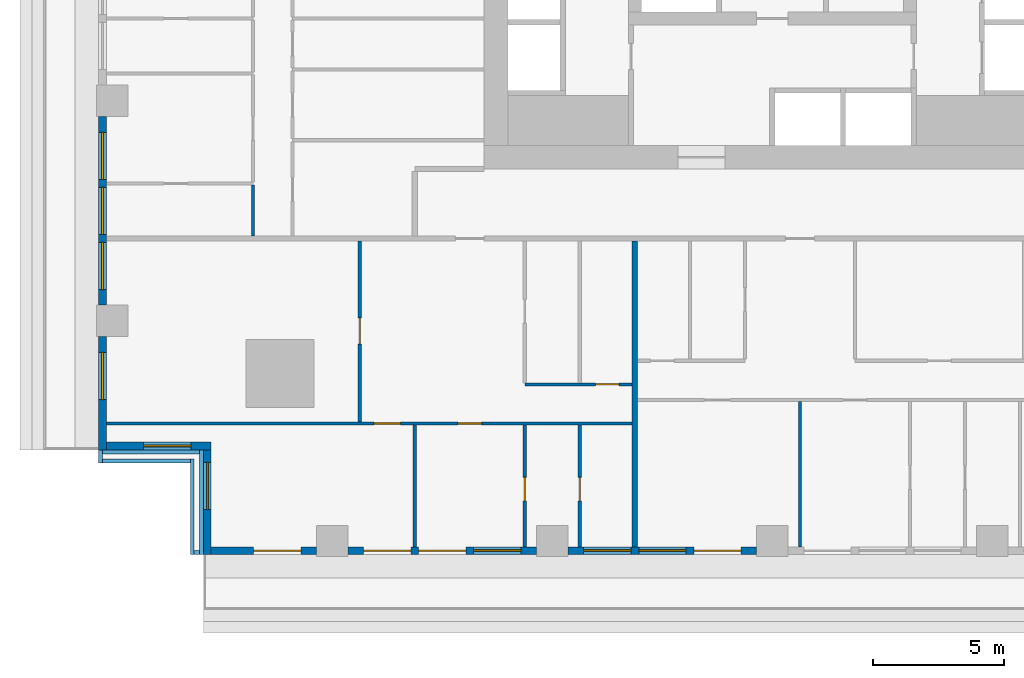
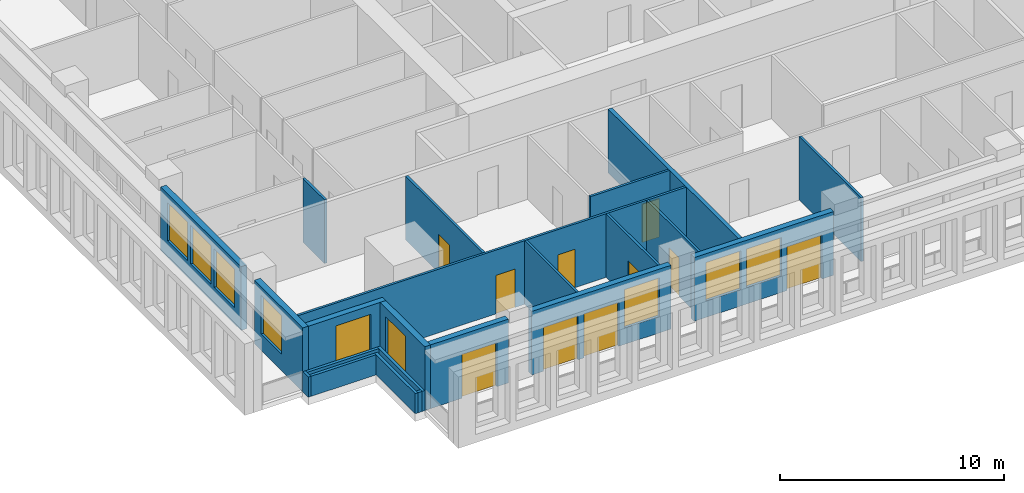
# One storey, part 2 of 16: 22 walls, 10 doors, 9 windows, 19 openings.
"""IFC4 building model written with IfcOpenShell, lengths in metres."""

import ifcopenshell
import ifcopenshell.guid

model = None  # the IFC model being written
_history = None  # IfcOwnerHistory: only IFC2X3 demands one
_inside = {}  # id of a spatial element -> (the spatial element, [elements in it])
_under = {}  # id of a project, library or spatial element -> (it, [spatial elements below it])
_declared = {}  # id of a project -> (the project, [libraries it declares])
_typed = {}  # id of a type object -> (the type object, [elements of that type])
_made_of = {}  # id of a material, layer set ... -> (it, [elements and type objects made of it])


def new_model(schema):
    """Start an empty IFC model of exactly this schema.

    Asked for "IFC4X3", IfcOpenShell would pick the latest addendum, in which some entities
    have other attributes; the version numbers below select the first issue.
    IFC2X3 requires an IfcOwnerHistory on every rooted entity: one is made here for all.
    """
    global model, _history
    if schema == "IFC4X3":
        model = ifcopenshell.file(schema_version=(4, 3, 0, 0))
    else:
        model = ifcopenshell.file(schema=schema)
    _inside.clear()
    _under.clear()
    _declared.clear()
    _typed.clear()
    _made_of.clear()
    _history = None
    if model.schema == "IFC2X3":
        org = make("IfcOrganization", Name="unknown")
        user = make(
            "IfcPersonAndOrganization",
            ThePerson=make("IfcPerson", FamilyName="unknown"),
            TheOrganization=org,
        )
        app = make(
            "IfcApplication",
            ApplicationDeveloper=org,
            Version="unknown",
            ApplicationFullName="unknown",
            ApplicationIdentifier="unknown",
        )
        _history = make(
            "IfcOwnerHistory",
            OwningUser=user,
            OwningApplication=app,
            ChangeAction="ADDED",
            CreationDate=0,
        )
    return model


def make(cls, **values):
    """One entity of the class cls with the attributes given. An attribute that is None is left unset."""
    return model.create_entity(
        cls, **{name: value for name, value in values.items() if value is not None}
    )


def rooted(cls, **values):
    """An entity with a GlobalId (a new one), such as an element, a storey or a relation."""
    return make(cls, GlobalId=ifcopenshell.guid.new(), OwnerHistory=_history, **values)


def si_unit(unit_type, name, prefix=None):
    """IfcSIUnit, for example si_unit("LENGTHUNIT", "METRE", prefix="MILLI")."""
    return make("IfcSIUnit", UnitType=unit_type, Prefix=prefix, Name=name)


def assignment(units):
    """IfcUnitAssignment: the units of a project."""
    return None if units is None else make("IfcUnitAssignment", Units=units)


def point(xyz):
    """IfcCartesianPoint."""
    return None if xyz is None else make("IfcCartesianPoint", Coordinates=xyz)


def direction(xyz):
    """IfcDirection."""
    return None if xyz is None else make("IfcDirection", DirectionRatios=xyz)


def frame(location, z_axis=None, x_axis=None):
    """IfcAxis2Placement3D, a coordinate frame: its origin and axes. An axis left out is left unset."""
    return make(
        "IfcAxis2Placement3D",
        Location=point(location),
        Axis=direction(z_axis),
        RefDirection=direction(x_axis),
    )


def frame_2d(location, x_axis=None):
    """IfcAxis2Placement2D, a coordinate frame in the plane: its origin and x axis."""
    return make(
        "IfcAxis2Placement2D", Location=point(location), RefDirection=direction(x_axis)
    )


def origin():
    """The frame at (0, 0, 0) with its axes left unset."""
    return frame((0.0, 0.0, 0.0))


def place(relative_to, where):
    """IfcLocalPlacement: puts the frame where relative to a parent placement (None: the world)."""
    return make(
        "IfcLocalPlacement", PlacementRelTo=relative_to, RelativePlacement=where
    )


def context(
    kind, dimensions, precision=None, world=None, true_north=None, identifier=None
):
    """IfcGeometricRepresentationContext, for example the 3D "Model" context."""
    return make(
        "IfcGeometricRepresentationContext",
        ContextIdentifier=identifier,
        ContextType=kind,
        CoordinateSpaceDimension=dimensions,
        Precision=precision,
        WorldCoordinateSystem=world,
        TrueNorth=true_north,
    )


def subcontext(parent, identifier, kind, view, scale=None):
    """IfcGeometricRepresentationSubContext, for example "Body" below "Model"."""
    return make(
        "IfcGeometricRepresentationSubContext",
        ContextIdentifier=identifier,
        ContextType=kind,
        ParentContext=parent,
        TargetScale=scale,
        TargetView=view,
    )


def project(units=None, contexts=None):
    """IfcProject with its units and contexts."""
    return rooted(
        "IfcProject",
        Name="project",
        RepresentationContexts=contexts,
        UnitsInContext=assignment(units),
    )


def spatial(cls, under=None, at=None, **own):
    """A site, building, storey or space (cls), placed at a placement, below another one or the project."""
    s = rooted(cls, ObjectPlacement=at, **own)
    if under is not None:
        _under.setdefault(under.id(), (under, []))[1].append(s)
    return s


def profile(cls, at=None, kind="AREA", **sizes):
    """A parametric profile (cls). Its sizes go by their IFC names, for example OverallWidth=200.0."""
    return make(cls, ProfileType=kind, Position=at, **sizes)


def rectangle(**sizes):
    """IfcRectangleProfileDef."""
    return profile("IfcRectangleProfileDef", **sizes)


def extrude(swept, where, along, depth):
    """IfcExtrudedAreaSolid: the profile swept, set in the frame where, extruded along a direction by depth."""
    return make(
        "IfcExtrudedAreaSolid",
        SweptArea=swept,
        Position=where,
        ExtrudedDirection=direction(along),
        Depth=depth,
    )


def shape(context_of_items, identifier, shape_type, items):
    """IfcShapeRepresentation: the items that make up one representation, for example the "Body"."""
    return make(
        "IfcShapeRepresentation",
        ContextOfItems=context_of_items,
        RepresentationIdentifier=identifier,
        RepresentationType=shape_type,
        Items=items,
    )


def material(Name=None, Category=None):
    """IfcMaterial."""
    return make("IfcMaterial", Name=Name, Category=Category)


def layer(
    of_material, thickness, ventilated=None, Name=None, Category=None, Priority=None
):
    """IfcMaterialLayer: one layer of a wall or slab, of a material (None: an air gap)."""
    return make(
        "IfcMaterialLayer",
        Material=of_material,
        LayerThickness=thickness,
        IsVentilated=ventilated,
        Name=Name,
        Category=Category,
        Priority=Priority,
    )


def layer_set(layers, Name=None):
    """IfcMaterialLayerSet."""
    return make("IfcMaterialLayerSet", MaterialLayers=layers, LayerSetName=Name)


def made_of(thing, what):
    """Note that an element or type object is made of a material, layer set ...; save() writes the relation."""
    if what is not None:
        _made_of.setdefault(what.id(), (what, []))[1].append(thing)
    return thing


def type_object(cls, material=None, **own):
    """A type object (cls), such as IfcWallType, which elements share."""
    return made_of(rooted(cls, **own), material)


def element(
    cls,
    number,
    at=None,
    inside=None,
    cuts=None,
    type_object=None,
    material=None,
    context=None,
    identifier="Body",
    shape_type=None,
    held_by="IfcProductDefinitionShape",
    body=None,
    shapes=None,
    **own,
):
    """One element of the class cls, such as IfcWall. Its Tag is "e" and its number.

    at: its placement. inside: the storey or other place that contains it. cuts: it is an
    opening in that element (IfcRelVoidsElement). A single representation is given by context,
    identifier, shape_type and body (its items); several are given by shapes. held_by: the class
    of the entity that holds the representations. save() writes the other relations.
    """
    e = rooted(cls, Tag="e%d" % number, ObjectPlacement=at, **own)
    if body is not None:
        shapes = [shape(context, identifier, shape_type, body)]
    if shapes is not None:
        e.Representation = make(held_by, Representations=shapes)
    if inside is not None:
        _inside.setdefault(inside.id(), (inside, []))[1].append(e)
    if cuts is not None:
        rooted(
            "IfcRelVoidsElement", RelatingBuildingElement=cuts, RelatedOpeningElement=e
        )
    if type_object is not None:
        _typed.setdefault(type_object.id(), (type_object, []))[1].append(e)
    return made_of(e, material)


def fill(opening, filler):
    """IfcRelFillsElement: the door or window that sits in an opening."""
    return rooted(
        "IfcRelFillsElement",
        RelatingOpeningElement=opening,
        RelatedBuildingElement=filler,
    )


def aggregate(whole, parts):
    """IfcRelAggregates: a whole, such as a stair, and the parts it consists of."""
    return rooted("IfcRelAggregates", RelatingObject=whole, RelatedObjects=parts)


def save(model, path):
    """Write the relations noted so far, then the file.

    IfcRelAggregates (storeys below a building ...), IfcRelContainedInSpatialStructure (elements
    in a storey), IfcRelDefinesByType, IfcRelAssociatesMaterial and IfcRelDeclares: one each for
    every whole, place, type object, material and project.
    """
    for whole, parts in _under.values():
        aggregate(whole, parts)
    for where, things in _inside.values():
        rooted(
            "IfcRelContainedInSpatialStructure",
            RelatedElements=things,
            RelatingStructure=where,
        )
    for kind, things in _typed.values():
        rooted("IfcRelDefinesByType", RelatedObjects=things, RelatingType=kind)
    for what, things in _made_of.values():
        rooted("IfcRelAssociatesMaterial", RelatedObjects=things, RelatingMaterial=what)
    for by, libraries in _declared.values():
        rooted("IfcRelDeclares", RelatingContext=by, RelatedDefinitions=libraries)
    model.write(path)


model = new_model("IFC4")

# Units and contexts
model_context = context("Model", 3, precision=1e-05, world=origin(), true_north=direction((0.0, 1.0)))
body_context = subcontext(model_context, "Body", "Model", "MODEL_VIEW")
ifc_project = project(units=[si_unit("LENGTHUNIT", "METRE"), si_unit("AREAUNIT", "SQUARE_METRE"), si_unit("VOLUMEUNIT", "CUBIC_METRE"), si_unit("PLANEANGLEUNIT", "RADIAN"), si_unit("MASSUNIT", "GRAM", prefix="KILO")], contexts=[model_context])

# Site, building, storey
site_placement = place(None, origin())
site = spatial("IfcSite", under=ifc_project, at=site_placement, CompositionType="ELEMENT")
building_placement = place(site_placement, origin())
building = spatial("IfcBuilding", under=site, at=building_placement, Name="Khepri Terraces", CompositionType="ELEMENT")
storey_placement = place(building_placement, frame((0.0, 0.0, 133.800048828125)))
storey = spatial("IfcBuildingStorey", under=building, at=storey_placement, Name="L31", CompositionType="ELEMENT", Elevation=133.800048828125)

# Wall
ifc_material_1 = material(Name="Fire-rated gypsum plasterboard partition, mineral wool")
ifc_layer_1 = layer(ifc_material_1, 0.199951171875, Name="Fire-rated gypsum plasterboard partition, mineral wool")
ifc_layer_set_1 = layer_set([ifc_layer_1], Name="Fire-rated gypsum plasterboard partition, mineral wool")
wall_type_1 = type_object("IfcWallType", Name="WL-CORR-200", PredefinedType="PARTITIONING", material=ifc_layer_set_1)
wall_1_placement = place(storey_placement, frame((-5.25, -25.419921875, 0.0), z_axis=(0.0, 0.0, 1.0), x_axis=(0.0, 1.0, 0.0)))
element("IfcWall", 1, at=wall_1_placement, inside=storey, type_object=wall_type_1, Name="Partition P-004 L31", PredefinedType="PARTITIONING", context=body_context, shape_type="SweptSolid", body=[
    extrude(rectangle(XDim=11.669921875, YDim=0.199951171875, at=frame_2d((5.8349609375, 0.0))), origin(), (0.0, 0.0, 1.0), 3.47998046875),
])

# Wall, openings, windows
ifc_material_2 = material(Name="Precast concrete C50/60 warm stone", Category="masonry")
ifc_layer_2 = layer(ifc_material_2, 0.300048828125, Name="Precast concrete C50/60 warm stone", Category="masonry")
ifc_layer_set_2 = layer_set([ifc_layer_2], Name="Precast concrete C50/60 warm stone")
wall_type_2 = type_object("IfcWallType", Name="WL-EXT-PRECAST-300", PredefinedType="STANDARD", material=ifc_layer_set_2)
wall_2_placement = place(storey_placement, frame((-25.570068359375, -9.0, 0.0), z_axis=(0.0, 0.0, 1.0), x_axis=(0.0, -1.0, 0.0)))
wall_2 = element("IfcWall", 2, at=wall_2_placement, inside=storey, type_object=wall_type_2, Name="External wall L31 W", PredefinedType="STANDARD", context=body_context, shape_type="SweptSolid", body=[
    extrude(rectangle(XDim=7.199951171875, YDim=0.300048828125, at=frame_2d((3.60009765625, 0.0))), origin(), (0.0, 0.0, 1.0), 3.47998046875),
])
opening_1_placement = place(wall_2_placement, frame((0.60009765625, 0.0, 0.89990234375)))
opening_1 = element("IfcOpeningElement", 3, at=opening_1_placement, cuts=wall_2, Name="Opening W1", PredefinedType="OPENING", context=body_context, shape_type="SweptSolid", body=[
    extrude(rectangle(XDim=1.800048828125, YDim=2.10009765625, at=frame_2d((0.89990234375, 1.050048828125))), frame((0.0, 0.16015625, 0.0), z_axis=(0.0, -1.0, 0.0), x_axis=(1.0, 0.0, 0.0)), (0.0, 0.0, 1.0), 0.320068359375),
])
opening_2_placement = place(wall_2_placement, frame((2.699951171875, 0.0, 0.89990234375)))
opening_2 = element("IfcOpeningElement", 4, at=opening_2_placement, cuts=wall_2, Name="Opening W1", PredefinedType="OPENING", context=body_context, shape_type="SweptSolid", body=[
    extrude(rectangle(XDim=1.800048828125, YDim=2.10009765625, at=frame_2d((0.89990234375, 1.050048828125))), frame((0.0, 0.16015625, 0.0), z_axis=(0.0, -1.0, 0.0), x_axis=(1.0, 0.0, 0.0)), (0.0, 0.0, 1.0), 0.320068359375),
])
opening_3_placement = place(wall_2_placement, frame((4.800048828125, 0.0, 0.89990234375)))
opening_3 = element("IfcOpeningElement", 5, at=opening_3_placement, cuts=wall_2, Name="Opening W1", PredefinedType="OPENING", context=body_context, shape_type="SweptSolid", body=[
    extrude(rectangle(XDim=1.800048828125, YDim=2.10009765625, at=frame_2d((0.89990234375, 1.050048828125))), frame((0.0, 0.16015625, 0.0), z_axis=(0.0, -1.0, 0.0), x_axis=(1.0, 0.0, 0.0)), (0.0, 0.0, 1.0), 0.320068359375),
])
ifc_material_3 = material(Name="Clear glass", Category="glass")
window_type = type_object("IfcWindowType", Name="WIN-RES-1800x2100", PartitioningType="SINGLE_PANEL", PredefinedType="WINDOW", material=ifc_material_3)
window_1_placement = place(opening_1_placement, origin())
window_1 = element("IfcWindow", 6, at=window_1_placement, inside=storey, type_object=window_type, Name="Window L31 W", OverallHeight=2.10009765625, OverallWidth=1.800048828125, PartitioningType="SINGLE_PANEL", PredefinedType="WINDOW", context=body_context, shape_type="SweptSolid", body=[
    extrude(rectangle(XDim=1.800048828125, YDim=2.10009765625, at=frame_2d((0.89990234375, 1.050048828125))), frame((0.0, 0.030029296875, 0.0), z_axis=(0.0, -1.0, 0.0), x_axis=(1.0, 0.0, 0.0)), (0.0, 0.0, 1.0), 0.06005859375),
])
fill(opening_1, window_1)
window_2_placement = place(opening_2_placement, origin())
window_2 = element("IfcWindow", 7, at=window_2_placement, inside=storey, type_object=window_type, Name="Window L31 W", OverallHeight=2.10009765625, OverallWidth=1.800048828125, PartitioningType="SINGLE_PANEL", PredefinedType="WINDOW", context=body_context, shape_type="SweptSolid", body=[
    extrude(rectangle(XDim=1.800048828125, YDim=2.10009765625, at=frame_2d((0.89990234375, 1.050048828125))), frame((0.0, 0.030029296875, 0.0), z_axis=(0.0, -1.0, 0.0), x_axis=(1.0, 0.0, 0.0)), (0.0, 0.0, 1.0), 0.06005859375),
])
fill(opening_2, window_2)
window_3_placement = place(opening_3_placement, origin())
window_3 = element("IfcWindow", 8, at=window_3_placement, inside=storey, type_object=window_type, Name="Window L31 W", OverallHeight=2.10009765625, OverallWidth=1.800048828125, PartitioningType="SINGLE_PANEL", PredefinedType="WINDOW", context=body_context, shape_type="SweptSolid", body=[
    extrude(rectangle(XDim=1.800048828125, YDim=2.10009765625, at=frame_2d((0.89990234375, 1.050048828125))), frame((0.0, 0.030029296875, 0.0), z_axis=(0.0, -1.0, 0.0), x_axis=(1.0, 0.0, 0.0)), (0.0, 0.0, 1.0), 0.06005859375),
])
fill(opening_3, window_3)

# Wall, opening, window
wall_3_placement = place(storey_placement, frame((-25.570068359375, -17.39990234375, 0.0), z_axis=(0.0, 0.0, 1.0), x_axis=(0.0, -1.0, 0.0)))
wall_3 = element("IfcWall", 9, at=wall_3_placement, inside=storey, type_object=wall_type_2, Name="External wall L31 W", PredefinedType="STANDARD", context=body_context, shape_type="SweptSolid", body=[
    extrude(rectangle(XDim=4.320068359375, YDim=0.300048828125, at=frame_2d((2.16015625, 0.0))), origin(), (0.0, 0.0, 1.0), 3.47998046875),
])
opening_4_placement = place(wall_3_placement, frame((0.60009765625, 0.0, 0.89990234375)))
opening_4 = element("IfcOpeningElement", 10, at=opening_4_placement, cuts=wall_3, Name="Opening W1", PredefinedType="OPENING", context=body_context, shape_type="SweptSolid", body=[
    extrude(rectangle(XDim=1.800048828125, YDim=2.10009765625, at=frame_2d((0.89990234375, 1.050048828125))), frame((0.0, 0.16015625, 0.0), z_axis=(0.0, -1.0, 0.0), x_axis=(1.0, 0.0, 0.0)), (0.0, 0.0, 1.0), 0.320068359375),
])
window_4_placement = place(opening_4_placement, origin())
window_4 = element("IfcWindow", 11, at=window_4_placement, inside=storey, type_object=window_type, Name="Window L31 W", OverallHeight=2.10009765625, OverallWidth=1.800048828125, PartitioningType="SINGLE_PANEL", PredefinedType="WINDOW", context=body_context, shape_type="SweptSolid", body=[
    extrude(rectangle(XDim=1.800048828125, YDim=2.10009765625, at=frame_2d((0.89990234375, 1.050048828125))), frame((0.0, 0.030029296875, 0.0), z_axis=(0.0, -1.0, 0.0), x_axis=(1.0, 0.0, 0.0)), (0.0, 0.0, 1.0), 0.06005859375),
])
fill(opening_4, window_4)

wall_4_placement = place(storey_placement, frame((-25.419921875, -21.570068359375, 0.0), z_axis=(0.0, 0.0, 1.0), x_axis=(1.0, 0.0, 0.0)))
wall_4 = element("IfcWall", 12, at=wall_4_placement, inside=storey, type_object=wall_type_2, Name="External wall L31 S", PredefinedType="STANDARD", context=body_context, shape_type="SweptSolid", body=[
    extrude(rectangle(XDim=4.0, YDim=0.300048828125, at=frame_2d((2.0, 0.0))), origin(), (0.0, 0.0, 1.0), 3.47998046875),
])
opening_5_placement = place(wall_4_placement, frame((1.419921875, 0.0, 0.89990234375)))
opening_5 = element("IfcOpeningElement", 13, at=opening_5_placement, cuts=wall_4, Name="Opening W1", PredefinedType="OPENING", context=body_context, shape_type="SweptSolid", body=[
    extrude(rectangle(XDim=1.800048828125, YDim=2.10009765625, at=frame_2d((0.89990234375, 1.050048828125))), frame((0.0, 0.16015625, 0.0), z_axis=(0.0, -1.0, 0.0), x_axis=(1.0, 0.0, 0.0)), (0.0, 0.0, 1.0), 0.320068359375),
])
window_5_placement = place(opening_5_placement, origin())
window_5 = element("IfcWindow", 14, at=window_5_placement, inside=storey, type_object=window_type, Name="Window L31 S", OverallHeight=2.10009765625, OverallWidth=1.800048828125, PartitioningType="SINGLE_PANEL", PredefinedType="WINDOW", context=body_context, shape_type="SweptSolid", body=[
    extrude(rectangle(XDim=1.800048828125, YDim=2.10009765625, at=frame_2d((0.89990234375, 1.050048828125))), frame((0.0, 0.030029296875, 0.0), z_axis=(0.0, -1.0, 0.0), x_axis=(1.0, 0.0, 0.0)), (0.0, 0.0, 1.0), 0.06005859375),
])
fill(opening_5, window_5)

wall_5_placement = place(storey_placement, frame((-21.570068359375, -21.719970703125, 0.0), z_axis=(0.0, 0.0, 1.0), x_axis=(0.0, -1.0, 0.0)))
wall_5 = element("IfcWall", 15, at=wall_5_placement, inside=storey, type_object=wall_type_2, Name="External wall L31 W", PredefinedType="STANDARD", context=body_context, shape_type="SweptSolid", body=[
    extrude(rectangle(XDim=4.0, YDim=0.300048828125, at=frame_2d((2.0, 0.0))), origin(), (0.0, 0.0, 1.0), 3.47998046875),
])
opening_6_placement = place(wall_5_placement, frame((0.47998046875, 0.0, 0.89990234375)))
opening_6 = element("IfcOpeningElement", 16, at=opening_6_placement, cuts=wall_5, Name="Opening W1", PredefinedType="OPENING", context=body_context, shape_type="SweptSolid", body=[
    extrude(rectangle(XDim=1.800048828125, YDim=2.10009765625, at=frame_2d((0.89990234375, 1.050048828125))), frame((0.0, 0.16015625, 0.0), z_axis=(0.0, -1.0, 0.0), x_axis=(1.0, 0.0, 0.0)), (0.0, 0.0, 1.0), 0.320068359375),
])
window_6_placement = place(opening_6_placement, origin())
window_6 = element("IfcWindow", 17, at=window_6_placement, inside=storey, type_object=window_type, Name="Window L31 W", OverallHeight=2.10009765625, OverallWidth=1.800048828125, PartitioningType="SINGLE_PANEL", PredefinedType="WINDOW", context=body_context, shape_type="SweptSolid", body=[
    extrude(rectangle(XDim=1.800048828125, YDim=2.10009765625, at=frame_2d((0.89990234375, 1.050048828125))), frame((0.0, 0.030029296875, 0.0), z_axis=(0.0, -1.0, 0.0), x_axis=(1.0, 0.0, 0.0)), (0.0, 0.0, 1.0), 0.06005859375),
])
fill(opening_6, window_6)

# Wall, opening, door
wall_6_placement = place(storey_placement, frame((-21.419921875, -25.570068359375, 0.0), z_axis=(0.0, 0.0, 1.0), x_axis=(1.0, 0.0, 0.0)))
wall_6 = element("IfcWall", 18, at=wall_6_placement, inside=storey, type_object=wall_type_2, Name="External wall L31 S", PredefinedType="STANDARD", context=body_context, shape_type="SweptSolid", body=[
    extrude(rectangle(XDim=4.02001953125, YDim=0.300048828125, at=frame_2d((2.010009765625, 0.0))), origin(), (0.0, 0.0, 1.0), 3.47998046875),
])
opening_7_placement = place(wall_6_placement, frame((1.6201171875, 0.0, 0.0)))
opening_7 = element("IfcOpeningElement", 19, at=opening_7_placement, cuts=wall_6, Name="Opening ED-L31-19", PredefinedType="OPENING", context=body_context, shape_type="SweptSolid", body=[
    extrude(rectangle(XDim=1.800048828125, YDim=2.39990234375, at=frame_2d((0.89990234375, 1.199951171875))), frame((0.0, 0.16015625, 0.0), z_axis=(0.0, -1.0, 0.0), x_axis=(1.0, 0.0, 0.0)), (0.0, 0.0, 1.0), 0.320068359375),
])
ifc_material_4 = material(Name="Anodised aluminium bronze glazed door", Category="aluminium")
door_type_1 = type_object("IfcDoorType", Name="DR-BAL-SLIDE-1800x2400", OperationType="NOTDEFINED", PredefinedType="DOOR", material=ifc_material_4)
door_1_placement = place(opening_7_placement, origin())
door_1 = element("IfcDoor", 20, at=door_1_placement, inside=storey, type_object=door_type_1, Name="Balcony door L31 S", OperationType="SLIDING_TO_RIGHT", OverallHeight=2.39990234375, OverallWidth=1.800048828125, PredefinedType="DOOR", context=body_context, shape_type="SweptSolid", body=[
    extrude(rectangle(XDim=1.800048828125, YDim=2.39990234375, at=frame_2d((0.89990234375, 1.199951171875))), frame((0.0, 0.02490234375, 0.0), z_axis=(0.0, -1.0, 0.0), x_axis=(1.0, 0.0, 0.0)), (0.0, 0.0, 1.0), 0.050048828125),
])
fill(opening_7, door_1)

# Wall, openings, doors, window
wall_7_placement = place(storey_placement, frame((-16.199951171875, -25.570068359375, 0.0), z_axis=(0.0, 0.0, 1.0), x_axis=(1.0, 0.0, 0.0)))
wall_7 = element("IfcWall", 21, at=wall_7_placement, inside=storey, type_object=wall_type_2, Name="External wall L31 S", PredefinedType="STANDARD", context=body_context, shape_type="SweptSolid", body=[
    extrude(rectangle(XDim=7.199951171875, YDim=0.300048828125, at=frame_2d((3.60009765625, 0.0))), origin(), (0.0, 0.0, 1.0), 3.47998046875),
])
opening_8_placement = place(wall_7_placement, frame((0.60009765625, 0.0, 0.0)))
opening_8 = element("IfcOpeningElement", 22, at=opening_8_placement, cuts=wall_7, Name="Opening ED-L31-20", PredefinedType="OPENING", context=body_context, shape_type="SweptSolid", body=[
    extrude(rectangle(XDim=1.800048828125, YDim=2.39990234375, at=frame_2d((0.89990234375, 1.199951171875))), frame((0.0, 0.16015625, 0.0), z_axis=(0.0, -1.0, 0.0), x_axis=(1.0, 0.0, 0.0)), (0.0, 0.0, 1.0), 0.320068359375),
])
opening_9_placement = place(wall_7_placement, frame((2.699951171875, 0.0, 0.0)))
opening_9 = element("IfcOpeningElement", 23, at=opening_9_placement, cuts=wall_7, Name="Opening ED-L31-21", PredefinedType="OPENING", context=body_context, shape_type="SweptSolid", body=[
    extrude(rectangle(XDim=1.800048828125, YDim=2.39990234375, at=frame_2d((0.89990234375, 1.199951171875))), frame((0.0, 0.16015625, 0.0), z_axis=(0.0, -1.0, 0.0), x_axis=(1.0, 0.0, 0.0)), (0.0, 0.0, 1.0), 0.320068359375),
])
opening_10_placement = place(wall_7_placement, frame((4.800048828125, 0.0, 0.89990234375)))
opening_10 = element("IfcOpeningElement", 24, at=opening_10_placement, cuts=wall_7, Name="Opening W1", PredefinedType="OPENING", context=body_context, shape_type="SweptSolid", body=[
    extrude(rectangle(XDim=1.800048828125, YDim=2.10009765625, at=frame_2d((0.89990234375, 1.050048828125))), frame((0.0, 0.16015625, 0.0), z_axis=(0.0, -1.0, 0.0), x_axis=(1.0, 0.0, 0.0)), (0.0, 0.0, 1.0), 0.320068359375),
])
door_2_placement = place(opening_8_placement, origin())
door_2 = element("IfcDoor", 25, at=door_2_placement, inside=storey, type_object=door_type_1, Name="Balcony door L31 S", OperationType="SLIDING_TO_LEFT", OverallHeight=2.39990234375, OverallWidth=1.800048828125, PredefinedType="DOOR", context=body_context, shape_type="SweptSolid", body=[
    extrude(rectangle(XDim=1.800048828125, YDim=2.39990234375, at=frame_2d((0.89990234375, 1.199951171875))), frame((0.0, 0.02490234375, 0.0), z_axis=(0.0, -1.0, 0.0), x_axis=(1.0, 0.0, 0.0)), (0.0, 0.0, 1.0), 0.050048828125),
])
fill(opening_8, door_2)
door_3_placement = place(opening_9_placement, origin())
door_3 = element("IfcDoor", 26, at=door_3_placement, inside=storey, type_object=door_type_1, Name="Balcony door L31 S", OperationType="SLIDING_TO_RIGHT", OverallHeight=2.39990234375, OverallWidth=1.800048828125, PredefinedType="DOOR", context=body_context, shape_type="SweptSolid", body=[
    extrude(rectangle(XDim=1.800048828125, YDim=2.39990234375, at=frame_2d((0.89990234375, 1.199951171875))), frame((0.0, 0.02490234375, 0.0), z_axis=(0.0, -1.0, 0.0), x_axis=(1.0, 0.0, 0.0)), (0.0, 0.0, 1.0), 0.050048828125),
])
fill(opening_9, door_3)
window_7_placement = place(opening_10_placement, origin())
window_7 = element("IfcWindow", 27, at=window_7_placement, inside=storey, type_object=window_type, Name="Window L31 S", OverallHeight=2.10009765625, OverallWidth=1.800048828125, PartitioningType="SINGLE_PANEL", PredefinedType="WINDOW", context=body_context, shape_type="SweptSolid", body=[
    extrude(rectangle(XDim=1.800048828125, YDim=2.10009765625, at=frame_2d((0.89990234375, 1.050048828125))), frame((0.0, 0.030029296875, 0.0), z_axis=(0.0, -1.0, 0.0), x_axis=(1.0, 0.0, 0.0)), (0.0, 0.0, 1.0), 0.06005859375),
])
fill(opening_10, window_7)

# Wall, openings, door, windows
wall_8_placement = place(storey_placement, frame((-7.800048828125, -25.570068359375, 0.0), z_axis=(0.0, 0.0, 1.0), x_axis=(1.0, 0.0, 0.0)))
wall_8 = element("IfcWall", 28, at=wall_8_placement, inside=storey, type_object=wall_type_2, Name="External wall L31 S", PredefinedType="STANDARD", context=body_context, shape_type="SweptSolid", body=[
    extrude(rectangle(XDim=7.199951171875, YDim=0.300048828125, at=frame_2d((3.60009765625, 0.0))), origin(), (0.0, 0.0, 1.0), 3.47998046875),
])
opening_11_placement = place(wall_8_placement, frame((0.60009765625, 0.0, 0.89990234375)))
opening_11 = element("IfcOpeningElement", 29, at=opening_11_placement, cuts=wall_8, Name="Opening W1", PredefinedType="OPENING", context=body_context, shape_type="SweptSolid", body=[
    extrude(rectangle(XDim=1.800048828125, YDim=2.10009765625, at=frame_2d((0.89990234375, 1.050048828125))), frame((0.0, 0.16015625, 0.0), z_axis=(0.0, -1.0, 0.0), x_axis=(1.0, 0.0, 0.0)), (0.0, 0.0, 1.0), 0.320068359375),
])
opening_12_placement = place(wall_8_placement, frame((2.699951171875, 0.0, 0.89990234375)))
opening_12 = element("IfcOpeningElement", 30, at=opening_12_placement, cuts=wall_8, Name="Opening W1", PredefinedType="OPENING", context=body_context, shape_type="SweptSolid", body=[
    extrude(rectangle(XDim=1.800048828125, YDim=2.10009765625, at=frame_2d((0.89990234375, 1.050048828125))), frame((0.0, 0.16015625, 0.0), z_axis=(0.0, -1.0, 0.0), x_axis=(1.0, 0.0, 0.0)), (0.0, 0.0, 1.0), 0.320068359375),
])
opening_13_placement = place(wall_8_placement, frame((4.800048828125, 0.0, 0.0)))
opening_13 = element("IfcOpeningElement", 31, at=opening_13_placement, cuts=wall_8, Name="Opening ED-L31-22", PredefinedType="OPENING", context=body_context, shape_type="SweptSolid", body=[
    extrude(rectangle(XDim=1.800048828125, YDim=2.39990234375, at=frame_2d((0.89990234375, 1.199951171875))), frame((0.0, 0.16015625, 0.0), z_axis=(0.0, -1.0, 0.0), x_axis=(1.0, 0.0, 0.0)), (0.0, 0.0, 1.0), 0.320068359375),
])
door_4_placement = place(opening_13_placement, origin())
door_4 = element("IfcDoor", 32, at=door_4_placement, inside=storey, type_object=door_type_1, Name="Balcony door L31 S", OperationType="SLIDING_TO_RIGHT", OverallHeight=2.39990234375, OverallWidth=1.800048828125, PredefinedType="DOOR", context=body_context, shape_type="SweptSolid", body=[
    extrude(rectangle(XDim=1.800048828125, YDim=2.39990234375, at=frame_2d((0.89990234375, 1.199951171875))), frame((0.0, 0.02490234375, 0.0), z_axis=(0.0, -1.0, 0.0), x_axis=(1.0, 0.0, 0.0)), (0.0, 0.0, 1.0), 0.050048828125),
])
fill(opening_13, door_4)
window_8_placement = place(opening_11_placement, origin())
window_8 = element("IfcWindow", 33, at=window_8_placement, inside=storey, type_object=window_type, Name="Window L31 S", OverallHeight=2.10009765625, OverallWidth=1.800048828125, PartitioningType="SINGLE_PANEL", PredefinedType="WINDOW", context=body_context, shape_type="SweptSolid", body=[
    extrude(rectangle(XDim=1.800048828125, YDim=2.10009765625, at=frame_2d((0.89990234375, 1.050048828125))), frame((0.0, 0.030029296875, 0.0), z_axis=(0.0, -1.0, 0.0), x_axis=(1.0, 0.0, 0.0)), (0.0, 0.0, 1.0), 0.06005859375),
])
fill(opening_11, window_8)
window_9_placement = place(opening_12_placement, origin())
window_9 = element("IfcWindow", 34, at=window_9_placement, inside=storey, type_object=window_type, Name="Window L31 S", OverallHeight=2.10009765625, OverallWidth=1.800048828125, PartitioningType="SINGLE_PANEL", PredefinedType="WINDOW", context=body_context, shape_type="SweptSolid", body=[
    extrude(rectangle(XDim=1.800048828125, YDim=2.10009765625, at=frame_2d((0.89990234375, 1.050048828125))), frame((0.0, 0.030029296875, 0.0), z_axis=(0.0, -1.0, 0.0), x_axis=(1.0, 0.0, 0.0)), (0.0, 0.0, 1.0), 0.06005859375),
])
fill(opening_12, window_9)

# Walls
ifc_layer_3 = layer(ifc_material_2, 0.14990234375, Name="Precast concrete C50/60 warm stone", Category="masonry")
ifc_layer_set_3 = layer_set([ifc_layer_3], Name="Precast concrete C50/60 warm stone")
wall_type_3 = type_object("IfcWallType", Name="WL-PARAPET-150", PredefinedType="PARAPET", material=ifc_layer_set_3)
wall_9_placement = place(storey_placement, frame((-25.64501953125, -22.219970703125, 0.0), z_axis=(0.0, 0.0, 1.0), x_axis=(0.0, 1.0, 0.0)))
element("IfcWall", 35, at=wall_9_placement, inside=storey, type_object=wall_type_3, Name="Ledge parapet L31", PredefinedType="PARAPET", context=body_context, shape_type="SweptSolid", body=[
    extrude(rectangle(XDim=0.5, YDim=0.14990234375, at=frame_2d((0.25, 0.0))), origin(), (0.0, 0.0, 1.0), 1.099853515625),
])
wall_10_placement = place(storey_placement, frame((-25.570068359375, -22.14501953125, 0.0), z_axis=(0.0, 0.0, 1.0), x_axis=(1.0, 0.0, 0.0)))
element("IfcWall", 36, at=wall_10_placement, inside=storey, type_object=wall_type_3, Name="Ledge parapet L31", PredefinedType="PARAPET", context=body_context, shape_type="SweptSolid", body=[
    extrude(rectangle(XDim=3.35009765625, YDim=0.14990234375, at=frame_2d((1.675048828125, 0.0))), origin(), (0.0, 0.0, 1.0), 1.099853515625),
])
wall_11_placement = place(storey_placement, frame((-25.570068359375, -21.794921875, 0.0), z_axis=(0.0, 0.0, 1.0), x_axis=(1.0, 0.0, 0.0)))
element("IfcWall", 37, at=wall_11_placement, inside=storey, type_object=wall_type_3, Name="Ledge parapet L31", PredefinedType="PARAPET", context=body_context, shape_type="SweptSolid", body=[
    extrude(rectangle(XDim=3.699951171875, YDim=0.14990234375, at=frame_2d((1.85009765625, 0.0))), origin(), (0.0, 0.0, 1.0), 1.099853515625),
])
wall_12_placement = place(storey_placement, frame((-22.14501953125, -25.719970703125, 0.0), z_axis=(0.0, 0.0, 1.0), x_axis=(0.0, 1.0, 0.0)))
element("IfcWall", 38, at=wall_12_placement, inside=storey, type_object=wall_type_3, Name="Ledge parapet L31", PredefinedType="PARAPET", context=body_context, shape_type="SweptSolid", body=[
    extrude(rectangle(XDim=3.64990234375, YDim=0.14990234375, at=frame_2d((1.824951171875, 0.0))), origin(), (0.0, 0.0, 1.0), 1.099853515625),
])
wall_13_placement = place(storey_placement, frame((-22.070068359375, -25.64501953125, 0.0), z_axis=(0.0, 0.0, 1.0), x_axis=(1.0, 0.0, 0.0)))
element("IfcWall", 39, at=wall_13_placement, inside=storey, type_object=wall_type_3, Name="Ledge parapet L31", PredefinedType="PARAPET", context=body_context, shape_type="SweptSolid", body=[
    extrude(rectangle(XDim=0.199951171875, YDim=0.14990234375, at=frame_2d((0.10009765625, 0.0))), origin(), (0.0, 0.0, 1.0), 1.099853515625),
])
wall_14_placement = place(storey_placement, frame((-21.794921875, -25.719970703125, 0.0), z_axis=(0.0, 0.0, 1.0), x_axis=(0.0, 1.0, 0.0)))
element("IfcWall", 40, at=wall_14_placement, inside=storey, type_object=wall_type_3, Name="Ledge parapet L31", PredefinedType="PARAPET", context=body_context, shape_type="SweptSolid", body=[
    extrude(rectangle(XDim=4.0, YDim=0.14990234375, at=frame_2d((2.0, 0.0))), origin(), (0.0, 0.0, 1.0), 1.099853515625),
])
ifc_material_5 = material(Name="Gypsum plasterboard partition")
ifc_layer_4 = layer(ifc_material_5, 0.1201171875, Name="Gypsum plasterboard partition")
ifc_layer_set_4 = layer_set([ifc_layer_4], Name="Gypsum plasterboard partition")
wall_type_4 = type_object("IfcWallType", Name="WL-PART-120", PredefinedType="PARTITIONING", material=ifc_layer_set_4)
wall_15_placement = place(storey_placement, frame((-13.64990234375, -25.419921875, 0.0), z_axis=(0.0, 0.0, 1.0), x_axis=(0.0, 1.0, 0.0)))
element("IfcWall", 41, at=wall_15_placement, inside=storey, type_object=wall_type_4, Name="Partition P-001 L31", PredefinedType="PARTITIONING", context=body_context, shape_type="SweptSolid", body=[
    extrude(rectangle(XDim=4.639892578125, YDim=0.1201171875, at=frame_2d((2.31982421875, 0.0))), origin(), (0.0, 0.0, 1.0), 3.47998046875),
])

# Wall, opening, door
wall_16_placement = place(storey_placement, frame((-9.449951171875, -25.419921875, 0.0), z_axis=(0.0, 0.0, 1.0), x_axis=(0.0, 1.0, 0.0)))
wall_16 = element("IfcWall", 42, at=wall_16_placement, inside=storey, type_object=wall_type_4, Name="Partition P-002 L31", PredefinedType="PARTITIONING", context=body_context, shape_type="SweptSolid", body=[
    extrude(rectangle(XDim=4.639892578125, YDim=0.1201171875, at=frame_2d((2.31982421875, 0.0))), origin(), (0.0, 0.0, 1.0), 3.47998046875),
])
opening_14_placement = place(wall_16_placement, frame((1.75, 0.0, 0.0)))
opening_14 = element("IfcOpeningElement", 43, at=opening_14_placement, cuts=wall_16, Name="Opening D3", PredefinedType="OPENING", context=body_context, shape_type="SweptSolid", body=[
    extrude(rectangle(XDim=0.89990234375, YDim=2.10009765625, at=frame_2d((0.449951171875, 1.050048828125))), frame((0.0, 0.070068359375, 0.0), z_axis=(0.0, -1.0, 0.0), x_axis=(1.0, 0.0, 0.0)), (0.0, 0.0, 1.0), 0.14013671875),
])
ifc_material_6 = material(Name="Timber door leaf", Category="wood")
door_type_2 = type_object("IfcDoorType", Name="DR-INT-900", OperationType="NOTDEFINED", PredefinedType="DOOR", material=ifc_material_6)
door_5_placement = place(opening_14_placement, frame((0.89990234375, 0.0, 0.0), z_axis=(0.0, 0.0, 1.0), x_axis=(-1.0, 0.0, 0.0)))
door_5 = element("IfcDoor", 44, at=door_5_placement, inside=storey, type_object=door_type_2, Name="Door Dressing Room", OperationType="SINGLE_SWING_RIGHT", OverallHeight=2.10009765625, OverallWidth=0.89990234375, PredefinedType="DOOR", context=body_context, shape_type="SweptSolid", body=[
    extrude(rectangle(XDim=0.89990234375, YDim=2.10009765625, at=frame_2d((0.449951171875, 1.050048828125))), frame((0.0, 0.02490234375, 0.0), z_axis=(0.0, -1.0, 0.0), x_axis=(1.0, 0.0, 0.0)), (0.0, 0.0, 1.0), 0.050048828125),
])
fill(opening_14, door_5)

wall_17_placement = place(storey_placement, frame((-7.35009765625, -25.419921875, 0.0), z_axis=(0.0, 0.0, 1.0), x_axis=(0.0, 1.0, 0.0)))
wall_17 = element("IfcWall", 45, at=wall_17_placement, inside=storey, type_object=wall_type_4, Name="Partition P-003 L31", PredefinedType="PARTITIONING", context=body_context, shape_type="SweptSolid", body=[
    extrude(rectangle(XDim=4.639892578125, YDim=0.1201171875, at=frame_2d((2.31982421875, 0.0))), origin(), (0.0, 0.0, 1.0), 3.47998046875),
])
opening_15_placement = place(wall_17_placement, frame((1.75, 0.0, 0.0)))
opening_15 = element("IfcOpeningElement", 46, at=opening_15_placement, cuts=wall_17, Name="Opening D4", PredefinedType="OPENING", context=body_context, shape_type="SweptSolid", body=[
    extrude(rectangle(XDim=0.89990234375, YDim=2.10009765625, at=frame_2d((0.449951171875, 1.050048828125))), frame((0.0, 0.070068359375, 0.0), z_axis=(0.0, -1.0, 0.0), x_axis=(1.0, 0.0, 0.0)), (0.0, 0.0, 1.0), 0.14013671875),
])
ifc_material_7 = material(Name="Timber door leaf, moisture resistant", Category="wood")
door_type_3 = type_object("IfcDoorType", Name="DR-WET-900", OperationType="NOTDEFINED", PredefinedType="DOOR", material=ifc_material_7)
door_6_placement = place(opening_15_placement, frame((0.89990234375, 0.0, 0.0), z_axis=(0.0, 0.0, 1.0), x_axis=(-1.0, 0.0, 0.0)))
door_6 = element("IfcDoor", 47, at=door_6_placement, inside=storey, type_object=door_type_3, Name="Door Bathroom", OperationType="SINGLE_SWING_RIGHT", OverallHeight=2.10009765625, OverallWidth=0.89990234375, PredefinedType="DOOR", context=body_context, shape_type="SweptSolid", body=[
    extrude(rectangle(XDim=0.89990234375, YDim=2.10009765625, at=frame_2d((0.449951171875, 1.050048828125))), frame((0.0, 0.02490234375, 0.0), z_axis=(0.0, -1.0, 0.0), x_axis=(1.0, 0.0, 0.0)), (0.0, 0.0, 1.0), 0.050048828125),
])
fill(opening_15, door_6)

# Wall
wall_18_placement = place(storey_placement, frame((1.050048828125, -25.419921875, 0.0), z_axis=(0.0, 0.0, 1.0), x_axis=(0.0, 1.0, 0.0)))
element("IfcWall", 48, at=wall_18_placement, inside=storey, type_object=wall_type_4, Name="Partition P-005 L31", PredefinedType="PARTITIONING", context=body_context, shape_type="SweptSolid", body=[
    extrude(rectangle(XDim=5.5400390625, YDim=0.1201171875, at=frame_2d((2.77001953125, 0.0))), origin(), (0.0, 0.0, 1.0), 3.47998046875),
])

# Wall, openings, doors
wall_19_placement = place(storey_placement, frame((-25.419921875, -20.719970703125, 0.0), z_axis=(0.0, 0.0, 1.0), x_axis=(1.0, 0.0, 0.0)))
wall_19 = element("IfcWall", 49, at=wall_19_placement, inside=storey, type_object=wall_type_4, Name="Partition P-011 L31", PredefinedType="PARTITIONING", context=body_context, shape_type="SweptSolid", body=[
    extrude(rectangle(XDim=20.06982421875, YDim=0.1201171875, at=frame_2d((10.034912109375, 0.0))), origin(), (0.0, 0.0, 1.0), 3.47998046875),
])
opening_16_placement = place(wall_19_placement, frame((10.219970703125, 0.0, 0.0)))
opening_16 = element("IfcOpeningElement", 50, at=opening_16_placement, cuts=wall_19, Name="Opening D2", PredefinedType="OPENING", context=body_context, shape_type="SweptSolid", body=[
    extrude(rectangle(XDim=1.0, YDim=2.10009765625, at=frame_2d((0.5, 1.050048828125))), frame((0.0, 0.070068359375, 0.0), z_axis=(0.0, -1.0, 0.0), x_axis=(1.0, 0.0, 0.0)), (0.0, 0.0, 1.0), 0.14013671875),
])
opening_17_placement = place(wall_19_placement, frame((13.419921875, 0.0, 0.0)))
opening_17 = element("IfcOpeningElement", 51, at=opening_17_placement, cuts=wall_19, Name="Opening D3", PredefinedType="OPENING", context=body_context, shape_type="SweptSolid", body=[
    extrude(rectangle(XDim=0.89990234375, YDim=2.10009765625, at=frame_2d((0.449951171875, 1.050048828125))), frame((0.0, 0.070068359375, 0.0), z_axis=(0.0, -1.0, 0.0), x_axis=(1.0, 0.0, 0.0)), (0.0, 0.0, 1.0), 0.14013671875),
])
ifc_material_8 = material(Name="Timber door leaf, living room door", Category="wood")
door_type_4 = type_object("IfcDoorType", Name="DR-INT-1000", OperationType="NOTDEFINED", PredefinedType="DOOR", material=ifc_material_8)
door_7_placement = place(opening_16_placement, frame((1.0, 0.0, 0.0), z_axis=(0.0, 0.0, 1.0), x_axis=(-1.0, 0.0, 0.0)))
door_7 = element("IfcDoor", 52, at=door_7_placement, inside=storey, type_object=door_type_4, Name="Door Living Room", OperationType="SINGLE_SWING_LEFT", OverallHeight=2.10009765625, OverallWidth=1.0, PredefinedType="DOOR", context=body_context, shape_type="SweptSolid", body=[
    extrude(rectangle(XDim=1.0, YDim=2.10009765625, at=frame_2d((0.5, 1.050048828125))), frame((0.0, 0.02490234375, 0.0), z_axis=(0.0, -1.0, 0.0), x_axis=(1.0, 0.0, 0.0)), (0.0, 0.0, 1.0), 0.050048828125),
])
fill(opening_16, door_7)
door_8_placement = place(opening_17_placement, frame((0.89990234375, 0.0, 0.0), z_axis=(0.0, 0.0, 1.0), x_axis=(-1.0, 0.0, 0.0)))
door_8 = element("IfcDoor", 53, at=door_8_placement, inside=storey, type_object=door_type_2, Name="Door Master Bedroom", OperationType="SINGLE_SWING_LEFT", OverallHeight=2.10009765625, OverallWidth=0.89990234375, PredefinedType="DOOR", context=body_context, shape_type="SweptSolid", body=[
    extrude(rectangle(XDim=0.89990234375, YDim=2.10009765625, at=frame_2d((0.449951171875, 1.050048828125))), frame((0.0, 0.02490234375, 0.0), z_axis=(0.0, -1.0, 0.0), x_axis=(1.0, 0.0, 0.0)), (0.0, 0.0, 1.0), 0.050048828125),
])
fill(opening_17, door_8)

# Wall, opening, door
wall_20_placement = place(storey_placement, frame((-15.75, -20.659912109375, 0.0), z_axis=(0.0, 0.0, 1.0), x_axis=(0.0, 1.0, 0.0)))
wall_20 = element("IfcWall", 54, at=wall_20_placement, inside=storey, type_object=wall_type_4, Name="Partition P-012 L31", PredefinedType="PARTITIONING", context=body_context, shape_type="SweptSolid", body=[
    extrude(rectangle(XDim=6.909912109375, YDim=0.1201171875, at=frame_2d((3.455078125, 0.0))), origin(), (0.0, 0.0, 1.0), 3.47998046875),
])
opening_18_placement = place(wall_20_placement, frame((2.97509765625, 0.0, 0.0)))
opening_18 = element("IfcOpeningElement", 55, at=opening_18_placement, cuts=wall_20, Name="Opening D2", PredefinedType="OPENING", context=body_context, shape_type="SweptSolid", body=[
    extrude(rectangle(XDim=1.0, YDim=2.10009765625, at=frame_2d((0.5, 1.050048828125))), frame((0.0, 0.070068359375, 0.0), z_axis=(0.0, -1.0, 0.0), x_axis=(1.0, 0.0, 0.0)), (0.0, 0.0, 1.0), 0.14013671875),
])
door_9_placement = place(opening_18_placement, origin())
door_9 = element("IfcDoor", 56, at=door_9_placement, inside=storey, type_object=door_type_4, Name="Door Family Room", OperationType="SINGLE_SWING_RIGHT", OverallHeight=2.10009765625, OverallWidth=1.0, PredefinedType="DOOR", context=body_context, shape_type="SweptSolid", body=[
    extrude(rectangle(XDim=1.0, YDim=2.10009765625, at=frame_2d((0.5, 1.050048828125))), frame((0.0, 0.02490234375, 0.0), z_axis=(0.0, -1.0, 0.0), x_axis=(1.0, 0.0, 0.0)), (0.0, 0.0, 1.0), 0.050048828125),
])
fill(opening_18, door_9)

wall_21_placement = place(storey_placement, frame((-9.449951171875, -19.219970703125, 0.0), z_axis=(0.0, 0.0, 1.0), x_axis=(1.0, 0.0, 0.0)))
wall_21 = element("IfcWall", 57, at=wall_21_placement, inside=storey, type_object=wall_type_4, Name="Partition P-014 L31", PredefinedType="PARTITIONING", context=body_context, shape_type="SweptSolid", body=[
    extrude(rectangle(XDim=4.099853515625, YDim=0.1201171875, at=frame_2d((2.0498046875, 0.0))), origin(), (0.0, 0.0, 1.0), 3.47998046875),
])
opening_19_placement = place(wall_21_placement, frame((2.699951171875, 0.0, 0.0)))
opening_19 = element("IfcOpeningElement", 58, at=opening_19_placement, cuts=wall_21, Name="Opening D3", PredefinedType="OPENING", context=body_context, shape_type="SweptSolid", body=[
    extrude(rectangle(XDim=0.89990234375, YDim=2.10009765625, at=frame_2d((0.449951171875, 1.050048828125))), frame((0.0, 0.070068359375, 0.0), z_axis=(0.0, -1.0, 0.0), x_axis=(1.0, 0.0, 0.0)), (0.0, 0.0, 1.0), 0.14013671875),
])
door_10_placement = place(opening_19_placement, origin())
door_10 = element("IfcDoor", 59, at=door_10_placement, inside=storey, type_object=door_type_2, Name="Door Kitchen", OperationType="SINGLE_SWING_RIGHT", OverallHeight=2.10009765625, OverallWidth=0.89990234375, PredefinedType="DOOR", context=body_context, shape_type="SweptSolid", body=[
    extrude(rectangle(XDim=0.89990234375, YDim=2.10009765625, at=frame_2d((0.449951171875, 1.050048828125))), frame((0.0, 0.02490234375, 0.0), z_axis=(0.0, -1.0, 0.0), x_axis=(1.0, 0.0, 0.0)), (0.0, 0.0, 1.0), 0.050048828125),
])
fill(opening_19, door_10)

# Wall
wall_22_placement = place(storey_placement, frame((-19.820068359375, -13.550048828125, 0.0), z_axis=(0.0, 0.0, 1.0), x_axis=(0.0, 1.0, 0.0)))
element("IfcWall", 60, at=wall_22_placement, inside=storey, type_object=wall_type_4, Name="Partition P-027 L31", PredefinedType="PARTITIONING", context=body_context, shape_type="SweptSolid", body=[
    extrude(rectangle(XDim=1.93994140625, YDim=0.1201171875, at=frame_2d((0.969970703125, 0.0))), origin(), (0.0, 0.0, 1.0), 3.47998046875),
])

save(model, "model.ifc")
